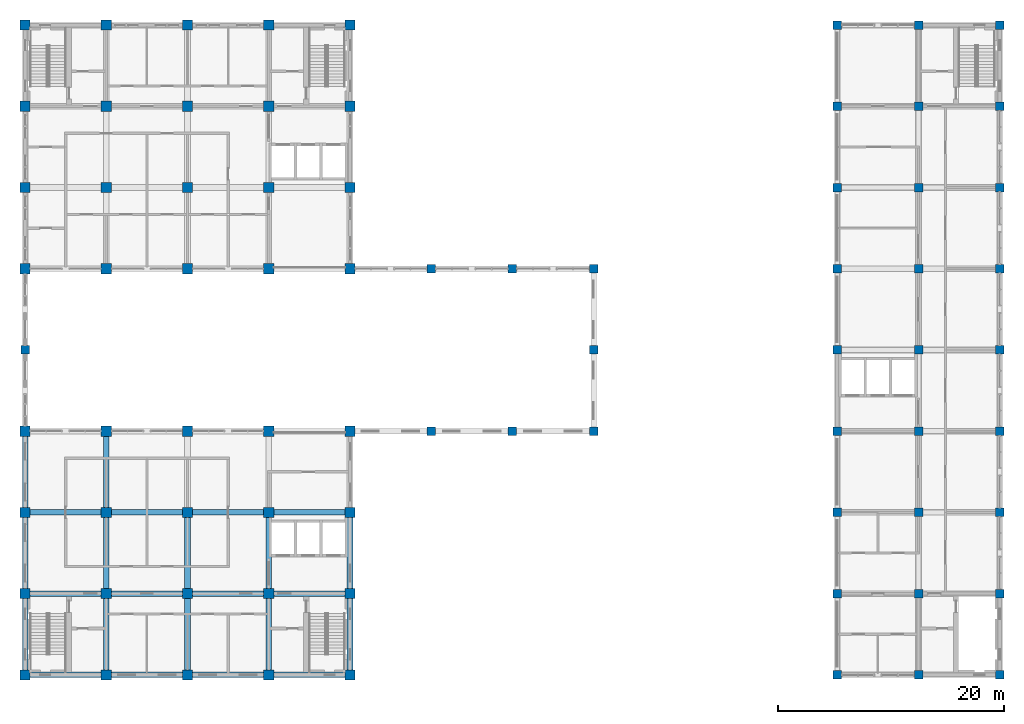
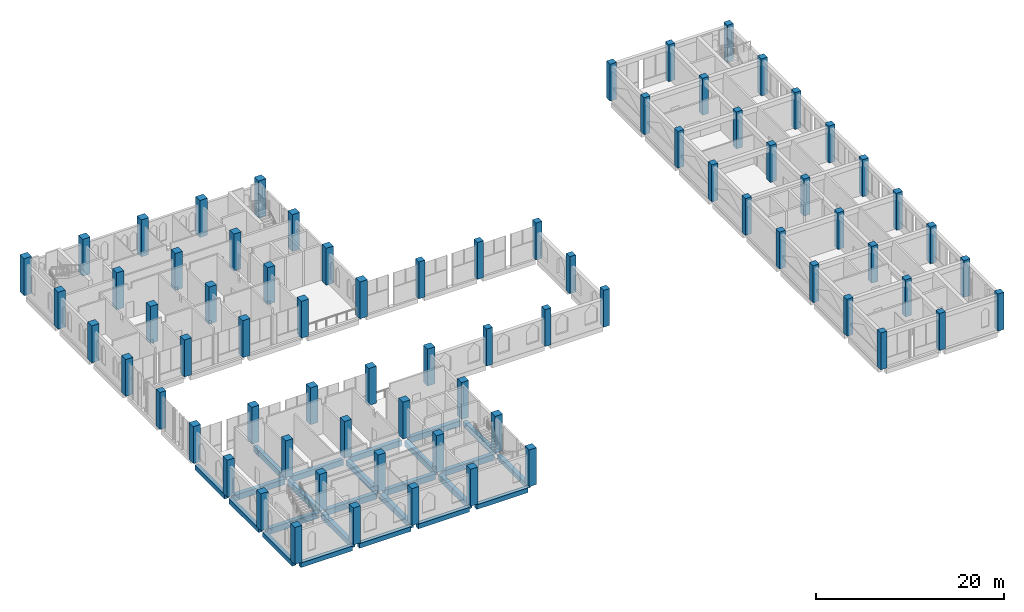
# One storey, part 1 of 39: 75 columns, 24 beams.
"""IFC4 building model written with IfcOpenShell, lengths in metres."""

from ifc_helpers import new_model, si_unit, direction, frame, origin, origin_2d, place, context, subcontext, project, spatial, rectangle, extrude, material, material_profile, profile_set, type_object, element, save


model = new_model("IFC4")

# Units and contexts
model_context = context("Model", 3, precision=1e-05, world=origin(), true_north=direction((0.0, 1.0)))
body_context = subcontext(model_context, "Body", "Model", "MODEL_VIEW")
ifc_project = project(units=[si_unit("LENGTHUNIT", "METRE"), si_unit("AREAUNIT", "SQUARE_METRE"), si_unit("VOLUMEUNIT", "CUBIC_METRE"), si_unit("PLANEANGLEUNIT", "RADIAN"), si_unit("MASSUNIT", "GRAM", prefix="KILO")], contexts=[model_context])

# Site, building, storey
site_placement = place(None, origin())
site = spatial("IfcSite", under=ifc_project, at=site_placement, CompositionType="ELEMENT")
building_placement = place(site_placement, origin())
building = spatial("IfcBuilding", under=site, at=building_placement, Name="Silangan Lancet Faculty of Sciences", CompositionType="ELEMENT")
storey_placement = place(building_placement, frame((0.0, 0.0, 26.39990234375)))
storey = spatial("IfcBuildingStorey", under=building, at=storey_placement, Name="L05", CompositionType="ELEMENT", Elevation=26.39990234375)

# Columns
ifc_material_1 = material(Name="Concrete C40/50", Category="concrete")
ifc_material_profile_1 = material_profile(ifc_material_1, rectangle(XDim=0.75, YDim=0.75, at=origin_2d()), Name="RC 750x750")
ifc_profile_set_1 = profile_set([ifc_material_profile_1], Name="Concrete C40/50")
column_type_1 = type_object("IfcColumnType", Name="COLUMN RC 750x750", PredefinedType="COLUMN", material=ifc_profile_set_1)
for number, where, z_axis, x_axis, name in (
    (1, (0.0, 28.800048828125, 0.0), (0.0, 0.0, 1.0), (1.0, 0.0, 0.0), "COL-L05-1E"),
    (2, (36.0, 21.60009765625, 0.0), (0.0, 0.0, 1.0), (1.0, 0.0, 0.0), "COL-L05-6D"),
    (3, (36.0, 36.0, 0.0), (0.0, 0.0, 1.0), (1.0, 0.0, 0.0), "COL-L05-6F"),
    (4, (43.199951171875, 21.60009765625, 0.0), (0.0, 0.0, 1.0), (1.0, 0.0, 0.0), "COL-L05-7D"),
    (5, (43.199951171875, 36.0, 0.0), (0.0, 0.0, 1.0), (1.0, 0.0, 0.0), "COL-L05-7F"),
    (6, (50.39990234375, 21.60009765625, 0.0), (0.0, 0.0, 1.0), (1.0, 0.0, 0.0), "COL-L05-8D"),
    (7, (50.39990234375, 28.800048828125, 0.0), (0.0, 0.0, 1.0), (1.0, 0.0, 0.0), "COL-L05-8E"),
    (8, (50.39990234375, 36.0, 0.0), (0.0, 0.0, 1.0), (1.0, 0.0, 0.0), "COL-L05-8F"),
    (9, (72.0, 0.0, 0.0), (0.0, 0.0, 1.0), (1.0, 0.0, 0.0), "COL-L05-11A"),
    (10, (72.0, 7.199951171875, 0.0), (0.0, 0.0, 1.0), (1.0, 0.0, 0.0), "COL-L05-11B"),
    (11, (72.0, 14.39990234375, 0.0), (0.0, 0.0, 1.0), (1.0, 0.0, 0.0), "COL-L05-11C"),
    (12, (72.0, 21.60009765625, 0.0), (0.0, 0.0, 1.0), (1.0, 0.0, 0.0), "COL-L05-11D"),
    (13, (72.0, 28.800048828125, 0.0), (0.0, 0.0, 1.0), (1.0, 0.0, 0.0), "COL-L05-11E"),
    (14, (72.0, 36.0, 0.0), (0.0, 0.0, 1.0), (1.0, 0.0, 0.0), "COL-L05-11F"),
    (15, (72.0, 43.199951171875, 0.0), (0.0, 0.0, 1.0), (1.0, 0.0, 0.0), "COL-L05-11G"),
    (16, (72.0, 50.39990234375, 0.0), (0.0, 0.0, 1.0), (1.0, 0.0, 0.0), "COL-L05-11H"),
    (17, (72.0, 57.60009765625, 0.0), (0.0, 0.0, 1.0), (1.0, 0.0, 0.0), "COL-L05-11I"),
    (18, (79.199951171875, 0.0, 0.0), (0.0, 0.0, 1.0), (1.0, 0.0, 0.0), "COL-L05-12A"),
    (19, (79.199951171875, 7.199951171875, 0.0), (0.0, 0.0, 1.0), (1.0, 0.0, 0.0), "COL-L05-12B"),
    (20, (79.199951171875, 14.39990234375, 0.0), (0.0, 0.0, 1.0), (1.0, 0.0, 0.0), "COL-L05-12C"),
    (21, (79.199951171875, 21.60009765625, 0.0), (0.0, 0.0, 1.0), (1.0, 0.0, 0.0), "COL-L05-12D"),
    (22, (79.199951171875, 28.800048828125, 0.0), (0.0, 0.0, 1.0), (1.0, 0.0, 0.0), "COL-L05-12E"),
    (23, (79.199951171875, 36.0, 0.0), (0.0, 0.0, 1.0), (1.0, 0.0, 0.0), "COL-L05-12F"),
    (24, (79.199951171875, 43.199951171875, 0.0), (0.0, 0.0, 1.0), (1.0, 0.0, 0.0), "COL-L05-12G"),
    (25, (79.199951171875, 50.39990234375, 0.0), (0.0, 0.0, 1.0), (1.0, 0.0, 0.0), "COL-L05-12H"),
    (26, (79.199951171875, 57.60009765625, 0.0), (0.0, 0.0, 1.0), (1.0, 0.0, 0.0), "COL-L05-12I"),
    (27, (86.39990234375, 0.0, 0.0), (0.0, 0.0, 1.0), (1.0, 0.0, 0.0), "COL-L05-13A"),
    (28, (86.39990234375, 7.199951171875, 0.0), (0.0, 0.0, 1.0), (1.0, 0.0, 0.0), "COL-L05-13B"),
    (29, (86.39990234375, 14.39990234375, 0.0), (0.0, 0.0, 1.0), (1.0, 0.0, 0.0), "COL-L05-13C"),
    (30, (86.39990234375, 21.60009765625, 0.0), (0.0, 0.0, 1.0), (1.0, 0.0, 0.0), "COL-L05-13D"),
    (31, (86.39990234375, 28.800048828125, 0.0), (0.0, 0.0, 1.0), (1.0, 0.0, 0.0), "COL-L05-13E"),
    (32, (86.39990234375, 36.0, 0.0), (0.0, 0.0, 1.0), (1.0, 0.0, 0.0), "COL-L05-13F"),
    (33, (86.39990234375, 43.199951171875, 0.0), (0.0, 0.0, 1.0), (1.0, 0.0, 0.0), "COL-L05-13G"),
    (34, (86.39990234375, 50.39990234375, 0.0), (0.0, 0.0, 1.0), (1.0, 0.0, 0.0), "COL-L05-13H"),
    (35, (86.39990234375, 57.60009765625, 0.0), (0.0, 0.0, 1.0), (1.0, 0.0, 0.0), "COL-L05-13I"),
):
    element("IfcColumn", number, at=place(storey_placement, frame(where, z_axis=z_axis, x_axis=x_axis)), inside=storey, type_object=column_type_1, Name=name, PredefinedType="COLUMN", context=body_context, shape_type="SweptSolid", body=[
        extrude(rectangle(XDim=0.75, YDim=0.75, at=origin_2d()), origin(), (0.0, 0.0, 1.0), 4.800048828125),
    ])
ifc_material_2 = material(Name="Concrete C50/60", Category="concrete")
ifc_material_profile_2 = material_profile(ifc_material_2, rectangle(XDim=0.89990234375, YDim=0.89990234375, at=origin_2d()), Name="RC 900x900")
ifc_profile_set_2 = profile_set([ifc_material_profile_2], Name="Concrete C50/60")
column_type_2 = type_object("IfcColumnType", Name="COLUMN RC 900x900", PredefinedType="COLUMN", material=ifc_profile_set_2)
for number, where, z_axis, x_axis, name in (
    (36, (0.0, 0.0, 0.0), (0.0, 0.0, 1.0), (1.0, 0.0, 0.0), "COL-L05-1A"),
    (37, (0.0, 7.199951171875, 0.0), (0.0, 0.0, 1.0), (1.0, 0.0, 0.0), "COL-L05-1B"),
    (38, (0.0, 14.39990234375, 0.0), (0.0, 0.0, 1.0), (1.0, 0.0, 0.0), "COL-L05-1C"),
    (39, (0.0, 21.60009765625, 0.0), (0.0, 0.0, 1.0), (1.0, 0.0, 0.0), "COL-L05-1D"),
    (40, (0.0, 36.0, 0.0), (0.0, 0.0, 1.0), (1.0, 0.0, 0.0), "COL-L05-1F"),
    (41, (0.0, 43.199951171875, 0.0), (0.0, 0.0, 1.0), (1.0, 0.0, 0.0), "COL-L05-1G"),
    (42, (0.0, 50.39990234375, 0.0), (0.0, 0.0, 1.0), (1.0, 0.0, 0.0), "COL-L05-1H"),
    (43, (0.0, 57.60009765625, 0.0), (0.0, 0.0, 1.0), (1.0, 0.0, 0.0), "COL-L05-1I"),
    (44, (7.199951171875, 0.0, 0.0), (0.0, 0.0, 1.0), (1.0, 0.0, 0.0), "COL-L05-2A"),
    (45, (7.199951171875, 7.199951171875, 0.0), (0.0, 0.0, 1.0), (1.0, 0.0, 0.0), "COL-L05-2B"),
    (46, (7.199951171875, 14.39990234375, 0.0), (0.0, 0.0, 1.0), (1.0, 0.0, 0.0), "COL-L05-2C"),
    (47, (7.199951171875, 21.60009765625, 0.0), (0.0, 0.0, 1.0), (1.0, 0.0, 0.0), "COL-L05-2D"),
    (48, (7.199951171875, 36.0, 0.0), (0.0, 0.0, 1.0), (1.0, 0.0, 0.0), "COL-L05-2F"),
    (49, (7.199951171875, 43.199951171875, 0.0), (0.0, 0.0, 1.0), (1.0, 0.0, 0.0), "COL-L05-2G"),
    (50, (7.199951171875, 50.39990234375, 0.0), (0.0, 0.0, 1.0), (1.0, 0.0, 0.0), "COL-L05-2H"),
    (51, (7.199951171875, 57.60009765625, 0.0), (0.0, 0.0, 1.0), (1.0, 0.0, 0.0), "COL-L05-2I"),
    (52, (14.39990234375, 0.0, 0.0), (0.0, 0.0, 1.0), (1.0, 0.0, 0.0), "COL-L05-3A"),
    (53, (14.39990234375, 7.199951171875, 0.0), (0.0, 0.0, 1.0), (1.0, 0.0, 0.0), "COL-L05-3B"),
    (54, (14.39990234375, 14.39990234375, 0.0), (0.0, 0.0, 1.0), (1.0, 0.0, 0.0), "COL-L05-3C"),
    (55, (14.39990234375, 21.60009765625, 0.0), (0.0, 0.0, 1.0), (1.0, 0.0, 0.0), "COL-L05-3D"),
    (56, (14.39990234375, 36.0, 0.0), (0.0, 0.0, 1.0), (1.0, 0.0, 0.0), "COL-L05-3F"),
    (57, (14.39990234375, 43.199951171875, 0.0), (0.0, 0.0, 1.0), (1.0, 0.0, 0.0), "COL-L05-3G"),
    (58, (14.39990234375, 50.39990234375, 0.0), (0.0, 0.0, 1.0), (1.0, 0.0, 0.0), "COL-L05-3H"),
    (59, (14.39990234375, 57.60009765625, 0.0), (0.0, 0.0, 1.0), (1.0, 0.0, 0.0), "COL-L05-3I"),
    (60, (21.60009765625, 0.0, 0.0), (0.0, 0.0, 1.0), (1.0, 0.0, 0.0), "COL-L05-4A"),
    (61, (21.60009765625, 7.199951171875, 0.0), (0.0, 0.0, 1.0), (1.0, 0.0, 0.0), "COL-L05-4B"),
    (62, (21.60009765625, 14.39990234375, 0.0), (0.0, 0.0, 1.0), (1.0, 0.0, 0.0), "COL-L05-4C"),
    (63, (21.60009765625, 21.60009765625, 0.0), (0.0, 0.0, 1.0), (1.0, 0.0, 0.0), "COL-L05-4D"),
    (64, (21.60009765625, 36.0, 0.0), (0.0, 0.0, 1.0), (1.0, 0.0, 0.0), "COL-L05-4F"),
    (65, (21.60009765625, 43.199951171875, 0.0), (0.0, 0.0, 1.0), (1.0, 0.0, 0.0), "COL-L05-4G"),
    (66, (21.60009765625, 50.39990234375, 0.0), (0.0, 0.0, 1.0), (1.0, 0.0, 0.0), "COL-L05-4H"),
    (67, (21.60009765625, 57.60009765625, 0.0), (0.0, 0.0, 1.0), (1.0, 0.0, 0.0), "COL-L05-4I"),
    (68, (28.800048828125, 0.0, 0.0), (0.0, 0.0, 1.0), (1.0, 0.0, 0.0), "COL-L05-5A"),
    (69, (28.800048828125, 7.199951171875, 0.0), (0.0, 0.0, 1.0), (1.0, 0.0, 0.0), "COL-L05-5B"),
    (70, (28.800048828125, 14.39990234375, 0.0), (0.0, 0.0, 1.0), (1.0, 0.0, 0.0), "COL-L05-5C"),
    (71, (28.800048828125, 21.60009765625, 0.0), (0.0, 0.0, 1.0), (1.0, 0.0, 0.0), "COL-L05-5D"),
    (72, (28.800048828125, 36.0, 0.0), (0.0, 0.0, 1.0), (1.0, 0.0, 0.0), "COL-L05-5F"),
    (73, (28.800048828125, 43.199951171875, 0.0), (0.0, 0.0, 1.0), (1.0, 0.0, 0.0), "COL-L05-5G"),
    (74, (28.800048828125, 50.39990234375, 0.0), (0.0, 0.0, 1.0), (1.0, 0.0, 0.0), "COL-L05-5H"),
    (75, (28.800048828125, 57.60009765625, 0.0), (0.0, 0.0, 1.0), (1.0, 0.0, 0.0), "COL-L05-5I"),
):
    element("IfcColumn", number, at=place(storey_placement, frame(where, z_axis=z_axis, x_axis=x_axis)), inside=storey, type_object=column_type_2, Name=name, PredefinedType="COLUMN", context=body_context, shape_type="SweptSolid", body=[
        extrude(rectangle(XDim=0.89990234375, YDim=0.89990234375, at=origin_2d()), origin(), (0.0, 0.0, 1.0), 4.800048828125),
    ])

# Beams
ifc_material_3 = material(Name="Concrete C40/50", Category="concrete")
ifc_material_profile_3 = material_profile(ifc_material_3, rectangle(XDim=0.5, YDim=0.60009765625, at=origin_2d()), Name="RC 500x600")
ifc_profile_set_3 = profile_set([ifc_material_profile_3], Name="Concrete C40/50")
beam_type_1 = type_object("IfcBeamType", Name="BEAM RC 500x600", PredefinedType="BEAM", material=ifc_profile_set_3)
for number, where, z_axis, x_axis, name in (
    (76, (0.449951171875, 0.0, -0.5498046875), (1.0, 0.0, 0.0), (0.0, 1.0, 0.0), "BM-L05-1A-2A"),
    (77, (7.64990234375, 0.0, -0.5498046875), (1.0, 0.0, 0.0), (0.0, 1.0, 0.0), "BM-L05-2A-3A"),
):
    element("IfcBeam", number, at=place(storey_placement, frame(where, z_axis=z_axis, x_axis=x_axis)), inside=storey, type_object=beam_type_1, Name=name, PredefinedType="BEAM", context=body_context, shape_type="SweptSolid", body=[
        extrude(rectangle(XDim=0.5, YDim=0.60009765625, at=origin_2d()), origin(), (0.0, 0.0, 1.0), 6.300048828125),
    ])
beam_1_placement = place(storey_placement, frame((14.85009765625, 0.0, -0.5498046875), z_axis=(1.0, 0.0, 0.0), x_axis=(0.0, 1.0, 0.0)))
element("IfcBeam", 78, at=beam_1_placement, inside=storey, type_object=beam_type_1, Name="BM-L05-3A-4A", PredefinedType="BEAM", context=body_context, shape_type="SweptSolid", body=[
    extrude(rectangle(XDim=0.5, YDim=0.60009765625, at=origin_2d()), origin(), (0.0, 0.0, 1.0), 6.2998046875),
])
for number, where, z_axis, x_axis, name in (
    (79, (22.050048828125, 0.0, -0.5498046875), (1.0, 0.0, 0.0), (0.0, 1.0, 0.0), "BM-L05-4A-5A"),
    (80, (0.0, 0.449951171875, -0.5498046875), (0.0, 1.0, 0.0), (-1.0, 0.0, 0.0), "BM-L05-1A-1B"),
    (81, (0.0, 7.64990234375, -0.5498046875), (0.0, 1.0, 0.0), (-1.0, 0.0, 0.0), "BM-L05-1B-1C"),
):
    element("IfcBeam", number, at=place(storey_placement, frame(where, z_axis=z_axis, x_axis=x_axis)), inside=storey, type_object=beam_type_1, Name=name, PredefinedType="BEAM", context=body_context, shape_type="SweptSolid", body=[
        extrude(rectangle(XDim=0.5, YDim=0.60009765625, at=origin_2d()), origin(), (0.0, 0.0, 1.0), 6.300048828125),
    ])
beam_2_placement = place(storey_placement, frame((0.0, 14.85009765625, -0.5498046875), z_axis=(0.0, 1.0, 0.0), x_axis=(-1.0, 0.0, 0.0)))
element("IfcBeam", 82, at=beam_2_placement, inside=storey, type_object=beam_type_1, Name="BM-L05-1C-1D", PredefinedType="BEAM", context=body_context, shape_type="SweptSolid", body=[
    extrude(rectangle(XDim=0.5, YDim=0.60009765625, at=origin_2d()), origin(), (0.0, 0.0, 1.0), 6.2998046875),
])
for number, where, z_axis, x_axis, name in (
    (83, (28.800048828125, 0.449951171875, -0.5498046875), (0.0, 1.0, 0.0), (-1.0, 0.0, 0.0), "BM-L05-5A-5B"),
    (84, (28.800048828125, 7.64990234375, -0.5498046875), (0.0, 1.0, 0.0), (-1.0, 0.0, 0.0), "BM-L05-5B-5C"),
):
    element("IfcBeam", number, at=place(storey_placement, frame(where, z_axis=z_axis, x_axis=x_axis)), inside=storey, type_object=beam_type_1, Name=name, PredefinedType="BEAM", context=body_context, shape_type="SweptSolid", body=[
        extrude(rectangle(XDim=0.5, YDim=0.60009765625, at=origin_2d()), origin(), (0.0, 0.0, 1.0), 6.300048828125),
    ])
ifc_material_4 = material(Name="Concrete C40/50", Category="concrete")
ifc_material_profile_4 = material_profile(ifc_material_4, rectangle(XDim=0.5, YDim=0.75, at=origin_2d()), Name="RC 500x750")
ifc_profile_set_4 = profile_set([ifc_material_profile_4], Name="Concrete C40/50")
beam_type_2 = type_object("IfcBeamType", Name="BEAM RC 500x750", PredefinedType="BEAM", material=ifc_profile_set_4)
for number, where, z_axis, x_axis, name in (
    (85, (0.449951171875, 7.199951171875, -0.625), (1.0, 0.0, 0.0), (0.0, 1.0, 0.0), "BM-L05-1B-2B"),
    (86, (7.64990234375, 7.199951171875, -0.625), (1.0, 0.0, 0.0), (0.0, 1.0, 0.0), "BM-L05-2B-3B"),
):
    element("IfcBeam", number, at=place(storey_placement, frame(where, z_axis=z_axis, x_axis=x_axis)), inside=storey, type_object=beam_type_2, Name=name, PredefinedType="BEAM", context=body_context, shape_type="SweptSolid", body=[
        extrude(rectangle(XDim=0.5, YDim=0.75, at=origin_2d()), origin(), (0.0, 0.0, 1.0), 6.300048828125),
    ])
beam_3_placement = place(storey_placement, frame((14.85009765625, 7.199951171875, -0.625), z_axis=(1.0, 0.0, 0.0), x_axis=(0.0, 1.0, 0.0)))
element("IfcBeam", 87, at=beam_3_placement, inside=storey, type_object=beam_type_2, Name="BM-L05-3B-4B", PredefinedType="BEAM", context=body_context, shape_type="SweptSolid", body=[
    extrude(rectangle(XDim=0.5, YDim=0.75, at=origin_2d()), origin(), (0.0, 0.0, 1.0), 6.2998046875),
])
for number, where, z_axis, x_axis, name in (
    (88, (22.050048828125, 7.199951171875, -0.625), (1.0, 0.0, 0.0), (0.0, 1.0, 0.0), "BM-L05-4B-5B"),
    (89, (0.449951171875, 14.39990234375, -0.625), (1.0, 0.0, 0.0), (0.0, 1.0, 0.0), "BM-L05-1C-2C"),
    (90, (7.64990234375, 14.39990234375, -0.625), (1.0, 0.0, 0.0), (0.0, 1.0, 0.0), "BM-L05-2C-3C"),
):
    element("IfcBeam", number, at=place(storey_placement, frame(where, z_axis=z_axis, x_axis=x_axis)), inside=storey, type_object=beam_type_2, Name=name, PredefinedType="BEAM", context=body_context, shape_type="SweptSolid", body=[
        extrude(rectangle(XDim=0.5, YDim=0.75, at=origin_2d()), origin(), (0.0, 0.0, 1.0), 6.300048828125),
    ])
beam_4_placement = place(storey_placement, frame((14.85009765625, 14.39990234375, -0.625), z_axis=(1.0, 0.0, 0.0), x_axis=(0.0, 1.0, 0.0)))
element("IfcBeam", 91, at=beam_4_placement, inside=storey, type_object=beam_type_2, Name="BM-L05-3C-4C", PredefinedType="BEAM", context=body_context, shape_type="SweptSolid", body=[
    extrude(rectangle(XDim=0.5, YDim=0.75, at=origin_2d()), origin(), (0.0, 0.0, 1.0), 6.2998046875),
])
for number, where, z_axis, x_axis, name in (
    (92, (22.050048828125, 14.39990234375, -0.625), (1.0, 0.0, 0.0), (0.0, 1.0, 0.0), "BM-L05-4C-5C"),
    (93, (7.199951171875, 0.449951171875, -0.625), (0.0, 1.0, 0.0), (-1.0, 0.0, 0.0), "BM-L05-2A-2B"),
    (94, (7.199951171875, 7.64990234375, -0.625), (0.0, 1.0, 0.0), (-1.0, 0.0, 0.0), "BM-L05-2B-2C"),
):
    element("IfcBeam", number, at=place(storey_placement, frame(where, z_axis=z_axis, x_axis=x_axis)), inside=storey, type_object=beam_type_2, Name=name, PredefinedType="BEAM", context=body_context, shape_type="SweptSolid", body=[
        extrude(rectangle(XDim=0.5, YDim=0.75, at=origin_2d()), origin(), (0.0, 0.0, 1.0), 6.300048828125),
    ])
beam_5_placement = place(storey_placement, frame((7.199951171875, 14.85009765625, -0.625), z_axis=(0.0, 1.0, 0.0), x_axis=(-1.0, 0.0, 0.0)))
element("IfcBeam", 95, at=beam_5_placement, inside=storey, type_object=beam_type_2, Name="BM-L05-2C-2D", PredefinedType="BEAM", context=body_context, shape_type="SweptSolid", body=[
    extrude(rectangle(XDim=0.5, YDim=0.75, at=origin_2d()), origin(), (0.0, 0.0, 1.0), 6.2998046875),
])
for number, where, z_axis, x_axis, name in (
    (96, (14.39990234375, 0.449951171875, -0.625), (0.0, 1.0, 0.0), (-1.0, 0.0, 0.0), "BM-L05-3A-3B"),
    (97, (14.39990234375, 7.64990234375, -0.625), (0.0, 1.0, 0.0), (-1.0, 0.0, 0.0), "BM-L05-3B-3C"),
    (98, (21.60009765625, 0.449951171875, -0.625), (0.0, 1.0, 0.0), (-1.0, 0.0, 0.0), "BM-L05-4A-4B"),
    (99, (21.60009765625, 7.64990234375, -0.625), (0.0, 1.0, 0.0), (-1.0, 0.0, 0.0), "BM-L05-4B-4C"),
):
    element("IfcBeam", number, at=place(storey_placement, frame(where, z_axis=z_axis, x_axis=x_axis)), inside=storey, type_object=beam_type_2, Name=name, PredefinedType="BEAM", context=body_context, shape_type="SweptSolid", body=[
        extrude(rectangle(XDim=0.5, YDim=0.75, at=origin_2d()), origin(), (0.0, 0.0, 1.0), 6.300048828125),
    ])

save(model, "model.ifc")
